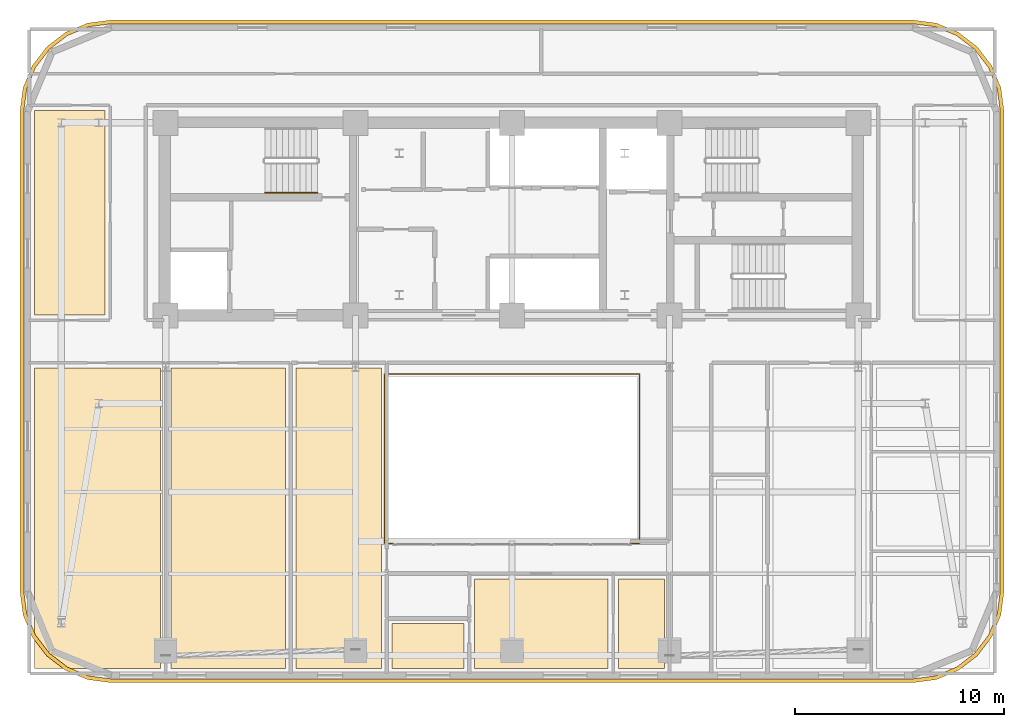
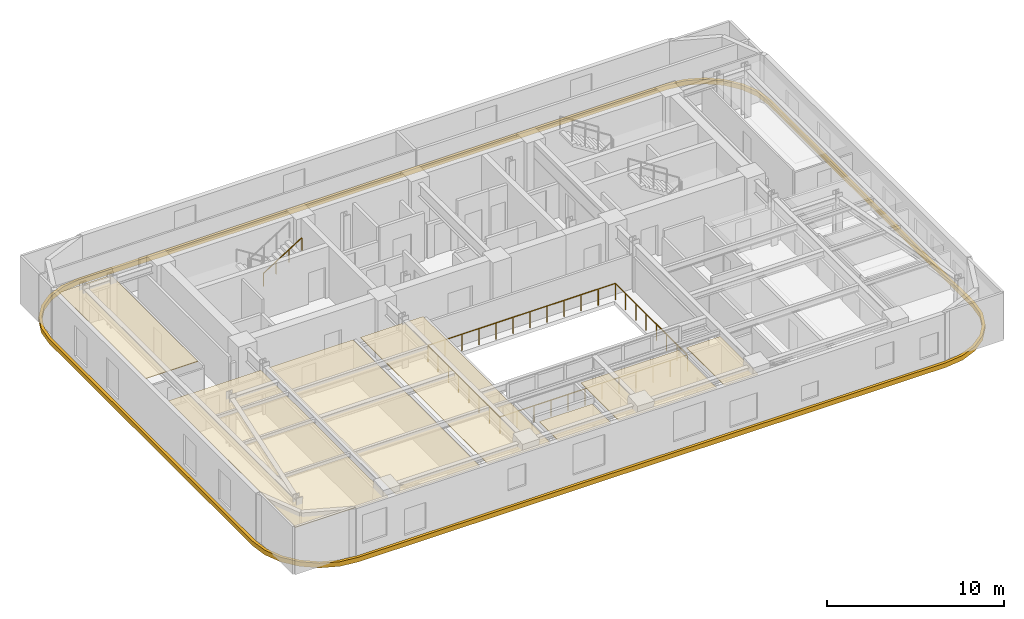
# One storey, part 10 of 12: 8 coverings, 2 railings.
"""IFC4 building model written with IfcOpenShell, lengths in metres."""

from ifc_helpers import new_model, si_unit, direction, frame, origin, origin_2d, place, context, subcontext, project, spatial, polyline, rectangle, outline, extrude, material, layer, layer_set, type_object, element, save


model = new_model("IFC4")

# Units and contexts
model_context = context("Model", 3, precision=1e-05, world=origin(), true_north=direction((0.0, 1.0)))
body_context = subcontext(model_context, "Body", "Model", "MODEL_VIEW")
ifc_project = project(units=[si_unit("LENGTHUNIT", "METRE"), si_unit("AREAUNIT", "SQUARE_METRE"), si_unit("VOLUMEUNIT", "CUBIC_METRE"), si_unit("PLANEANGLEUNIT", "RADIAN"), si_unit("MASSUNIT", "GRAM", prefix="KILO")], contexts=[model_context])

# Site, building, storey
site_placement = place(None, origin())
site = spatial("IfcSite", under=ifc_project, at=site_placement, CompositionType="ELEMENT")
building_placement = place(site_placement, origin())
building = spatial("IfcBuilding", under=site, at=building_placement, Name="Zarnavel Station Tower", CompositionType="ELEMENT")
storey_placement = place(building_placement, frame((0.0, 0.0, 159.0)))
storey = spatial("IfcBuildingStorey", under=building, at=storey_placement, Name="L43", CompositionType="ELEMENT", Elevation=159.0)

# Coverings
ifc_material_1 = material(Name="Perforated Gypsum and Mineral-Wool Acoustic Ceiling", Category="concrete")
ifc_layer = layer(ifc_material_1, 0.0400390625)
ifc_layer_set = layer_set([ifc_layer], Name="COV_CEIL_ACOUSTIC")
covering_type_1 = type_object("IfcCoveringType", Name="COV_CEIL_ACOUSTIC", PredefinedType="CEILING", material=ifc_layer_set)
covering_1_placement = place(storey_placement, frame((0.0, 0.0, 2.969970703125)))
element("IfcCovering", 1, at=covering_1_placement, inside=storey, type_object=covering_type_1, Name="L43 FNW Acoustic Ceiling", PredefinedType="CEILING", context=body_context, shape_type="SweptSolid", body=[
    extrude(outline(polyline([(5.909912109375, 27.85009765625), (9.300048828125, 27.85009765625), (9.300048828125, 37.64990234375), (5.909912109375, 37.64990234375), (5.909912109375, 27.85009765625)])), origin(), (0.0, 0.0, 1.0), 0.0400390625),
])
covering_2_placement = place(storey_placement, frame((0.0, 0.0, 2.969970703125)))
element("IfcCovering", 2, at=covering_2_placement, inside=storey, type_object=covering_type_1, Name="L43 L43GAL Acoustic Ceiling", PredefinedType="CEILING", context=body_context, shape_type="SweptSolid", body=[
    extrude(outline(polyline([(5.909912109375, 10.909912109375), (11.949951171875, 10.909912109375), (11.949951171875, 25.300048828125), (5.909912109375, 25.300048828125), (5.909912109375, 10.909912109375)])), origin(), (0.0, 0.0, 1.0), 0.0400390625),
])
covering_3_placement = place(storey_placement, frame((0.0, 0.0, 2.969970703125)))
element("IfcCovering", 3, at=covering_3_placement, inside=storey, type_object=covering_type_1, Name="L43 L43FOY Acoustic Ceiling", PredefinedType="CEILING", context=body_context, shape_type="SweptSolid", body=[
    extrude(outline(polyline([(12.449951171875, 10.909912109375), (17.949951171875, 10.909912109375), (17.949951171875, 25.300048828125), (12.449951171875, 25.300048828125), (12.449951171875, 10.909912109375)])), origin(), (0.0, 0.0, 1.0), 0.0400390625),
])
covering_4_placement = place(storey_placement, frame((0.0, 0.0, 2.969970703125)))
element("IfcCovering", 4, at=covering_4_placement, inside=storey, type_object=covering_type_1, Name="L43 L43KIT Acoustic Ceiling", PredefinedType="CEILING", context=body_context, shape_type="SweptSolid", body=[
    extrude(outline(polyline([(18.449951171875, 10.909912109375), (22.550048828125, 10.909912109375), (22.550048828125, 25.300048828125), (18.449951171875, 25.300048828125), (18.449951171875, 10.909912109375)])), origin(), (0.0, 0.0, 1.0), 0.0400390625),
])
covering_5_placement = place(storey_placement, frame((0.0, 0.0, 2.969970703125)))
element("IfcCovering", 5, at=covering_5_placement, inside=storey, type_object=covering_type_1, Name="L43 US1LV Acoustic Ceiling", PredefinedType="CEILING", context=body_context, shape_type="SweptSolid", body=[
    extrude(outline(polyline([(27.0, 10.909912109375), (33.39990234375, 10.909912109375), (33.39990234375, 15.199951171875), (27.0, 15.199951171875), (27.0, 10.909912109375)])), origin(), (0.0, 0.0, 1.0), 0.0400390625),
])
covering_6_placement = place(storey_placement, frame((0.0, 0.0, 2.969970703125)))
element("IfcCovering", 6, at=covering_6_placement, inside=storey, type_object=covering_type_1, Name="L43 US1KT Acoustic Ceiling", PredefinedType="CEILING", context=body_context, shape_type="SweptSolid", body=[
    extrude(outline(polyline([(23.050048828125, 10.909912109375), (26.5, 10.909912109375), (26.5, 13.050048828125), (23.050048828125, 13.050048828125), (23.050048828125, 10.909912109375)])), origin(), (0.0, 0.0, 1.0), 0.0400390625),
])
covering_7_placement = place(storey_placement, frame((0.0, 0.0, 2.969970703125)))
element("IfcCovering", 7, at=covering_7_placement, inside=storey, type_object=covering_type_1, Name="L43 US1B1 Acoustic Ceiling", PredefinedType="CEILING", context=body_context, shape_type="SweptSolid", body=[
    extrude(outline(polyline([(33.89990234375, 10.909912109375), (36.10009765625, 10.909912109375), (36.10009765625, 15.199951171875), (33.89990234375, 15.199951171875), (33.89990234375, 10.909912109375)])), origin(), (0.0, 0.0, 1.0), 0.0400390625),
])
ifc_material_2 = material(Name="Precast concrete C45/55 (Pale Travertine Slab Band)", Category="masonry")
covering_type_2 = type_object("IfcCoveringType", Name="COV_TRAVERTINE_BAND", PredefinedType="CLADDING", material=ifc_material_2)
covering_8_placement = place(storey_placement, frame((0.0, 0.0, -0.260009765625)))
element("IfcCovering", 8, at=covering_8_placement, inside=storey, type_object=covering_type_2, Name="L43 Pale Travertine Slab-Edge Band", PredefinedType="CLADDING", context=body_context, shape_type="SweptSolid", body=[
    extrude(outline(polyline([(48.0, 10.219970703125), (49.133544921875, 10.369140625), (50.18994140625, 10.806884765625), (51.09716796875, 11.5029296875), (51.793212890625, 12.409912109375), (52.230712890625, 13.46630859375), (52.3798828125, 14.60009765625), (52.3798828125, 37.60009765625), (52.230712890625, 38.733642578125), (51.793212890625, 39.7900390625), (51.09716796875, 40.697021484375), (50.18994140625, 41.393310546875), (49.133544921875, 41.830810546875), (48.0, 41.97998046875), (9.60009765625, 41.97998046875), (8.46630859375, 41.830810546875), (7.409912109375, 41.393310546875), (6.5029296875, 40.697021484375), (5.806884765625, 39.7900390625), (5.369140625, 38.733642578125), (5.219970703125, 37.60009765625), (5.219970703125, 14.60009765625), (5.369140625, 13.46630859375), (5.806884765625, 12.409912109375), (6.5029296875, 11.5029296875), (7.409912109375, 10.806884765625), (8.46630859375, 10.369140625), (9.60009765625, 10.219970703125), (48.0, 10.219970703125)]), holes=[polyline([(48.0, 10.39990234375), (49.0869140625, 10.543212890625), (50.10009765625, 10.962646484375), (50.9697265625, 11.630126953125), (51.63720703125, 12.5), (52.056884765625, 13.512939453125), (52.199951171875, 14.60009765625), (52.199951171875, 37.60009765625), (52.056884765625, 38.68701171875), (51.63720703125, 39.699951171875), (50.9697265625, 40.56982421875), (50.10009765625, 41.2373046875), (49.0869140625, 41.656982421875), (48.0, 41.800048828125), (9.60009765625, 41.800048828125), (8.512939453125, 41.656982421875), (7.5, 41.2373046875), (6.630126953125, 40.56982421875), (5.962646484375, 39.699951171875), (5.543212890625, 38.68701171875), (5.39990234375, 37.60009765625), (5.39990234375, 14.60009765625), (5.543212890625, 13.512939453125), (5.962646484375, 12.5), (6.630126953125, 11.630126953125), (7.5, 10.962646484375), (8.512939453125, 10.543212890625), (9.60009765625, 10.39990234375), (48.0, 10.39990234375)])]), origin(), (0.0, 0.0, 1.0), 0.320068359375),
])

# Railings
ifc_material_3 = material(Name="Painted Steel S355J2 Balustrade", Category="steel")
railing_type_1 = type_object("IfcRailingType", Name="GR_INT_1150", PredefinedType="GUARDRAIL", material=ifc_material_3)
railing_1_placement = place(storey_placement, frame((22.679931640625, 16.8798828125, 0.0)))
element("IfcRailing", 9, at=railing_1_placement, inside=storey, type_object=railing_type_1, Name="L43 Atrium Void Guardrail", PredefinedType="GUARDRAIL", context=body_context, shape_type="SweptSolid", body=[
    extrude(rectangle(XDim=0.048095703125, YDim=0.048095703125, at=origin_2d()), frame((0.001953125, 0.0, 1.1259765625), z_axis=(1.0, 0.0, 0.0), x_axis=(0.0, 1.0, 0.0)), (0.0, 0.0, 1.0), 12.236083984375),
    extrude(rectangle(XDim=0.048095703125, YDim=0.048095703125, at=origin_2d()), frame((12.239990234375, 0.001953125, 1.1259765625), z_axis=(0.0, 1.0, 0.0), x_axis=(-1.0, 0.0, 0.0)), (0.0, 0.0, 1.0), 8.13623046875),
    extrude(rectangle(XDim=0.048095703125, YDim=0.048095703125, at=origin_2d()), frame((12.238037109375, 8.14013671875, 1.1259765625), z_axis=(-1.0, 0.0, 0.0), x_axis=(0.0, -1.0, 0.0)), (0.0, 0.0, 1.0), 12.236083984375),
    extrude(rectangle(XDim=0.048095703125, YDim=0.048095703125, at=origin_2d()), frame((0.0, 8.13818359375, 1.1259765625), z_axis=(0.0, -1.0, 0.0), x_axis=(1.0, 0.0, 0.0)), (0.0, 0.0, 1.0), 8.13623046875),
    extrude(rectangle(XDim=0.0419921875, YDim=0.0419921875, at=origin_2d()), origin(), (0.0, 0.0, 1.0), 1.101806640625),
    extrude(rectangle(XDim=0.0419921875, YDim=0.0419921875, at=origin_2d()), frame((1.11279296875, 0.0, 0.0)), (0.0, 0.0, 1.0), 1.101806640625),
    extrude(rectangle(XDim=0.0419921875, YDim=0.0419921875, at=origin_2d()), frame((2.225341796875, 0.0, 0.0)), (0.0, 0.0, 1.0), 1.101806640625),
    extrude(rectangle(XDim=0.0419921875, YDim=0.0419921875, at=origin_2d()), frame((3.338134765625, 0.0, 0.0)), (0.0, 0.0, 1.0), 1.101806640625),
    extrude(rectangle(XDim=0.0419921875, YDim=0.0419921875, at=origin_2d()), frame((4.450927734375, 0.0, 0.0)), (0.0, 0.0, 1.0), 1.101806640625),
    extrude(rectangle(XDim=0.0419921875, YDim=0.0419921875, at=origin_2d()), frame((5.563720703125, 0.0, 0.0)), (0.0, 0.0, 1.0), 1.101806640625),
    extrude(rectangle(XDim=0.0419921875, YDim=0.0419921875, at=origin_2d()), frame((6.67626953125, 0.0, 0.0)), (0.0, 0.0, 1.0), 1.101806640625),
    extrude(rectangle(XDim=0.0419921875, YDim=0.0419921875, at=origin_2d()), frame((7.7890625, 0.0, 0.0)), (0.0, 0.0, 1.0), 1.101806640625),
    extrude(rectangle(XDim=0.0419921875, YDim=0.0419921875, at=origin_2d()), frame((8.90185546875, 0.0, 0.0)), (0.0, 0.0, 1.0), 1.101806640625),
    extrude(rectangle(XDim=0.0419921875, YDim=0.0419921875, at=origin_2d()), frame((10.0146484375, 0.0, 0.0)), (0.0, 0.0, 1.0), 1.101806640625),
    extrude(rectangle(XDim=0.0419921875, YDim=0.0419921875, at=origin_2d()), frame((11.127197265625, 0.0, 0.0)), (0.0, 0.0, 1.0), 1.101806640625),
    extrude(rectangle(XDim=0.0419921875, YDim=0.0419921875, at=origin_2d()), frame((12.239990234375, 0.0, 0.0)), (0.0, 0.0, 1.0), 1.101806640625),
    extrude(rectangle(XDim=0.0419921875, YDim=0.0419921875, at=origin_2d()), frame((12.239990234375, 1.162841796875, 0.0)), (0.0, 0.0, 1.0), 1.101806640625),
    extrude(rectangle(XDim=0.0419921875, YDim=0.0419921875, at=origin_2d()), frame((12.239990234375, 2.32568359375, 0.0)), (0.0, 0.0, 1.0), 1.101806640625),
    extrude(rectangle(XDim=0.0419921875, YDim=0.0419921875, at=origin_2d()), frame((12.239990234375, 3.488525390625, 0.0)), (0.0, 0.0, 1.0), 1.101806640625),
    extrude(rectangle(XDim=0.0419921875, YDim=0.0419921875, at=origin_2d()), frame((12.239990234375, 4.651611328125, 0.0)), (0.0, 0.0, 1.0), 1.101806640625),
    extrude(rectangle(XDim=0.0419921875, YDim=0.0419921875, at=origin_2d()), frame((12.239990234375, 5.814453125, 0.0)), (0.0, 0.0, 1.0), 1.101806640625),
    extrude(rectangle(XDim=0.0419921875, YDim=0.0419921875, at=origin_2d()), frame((12.239990234375, 6.977294921875, 0.0)), (0.0, 0.0, 1.0), 1.101806640625),
    extrude(rectangle(XDim=0.0419921875, YDim=0.0419921875, at=origin_2d()), frame((12.239990234375, 8.14013671875, 0.0)), (0.0, 0.0, 1.0), 1.101806640625),
    extrude(rectangle(XDim=0.0419921875, YDim=0.0419921875, at=origin_2d()), frame((11.127197265625, 8.14013671875, 0.0)), (0.0, 0.0, 1.0), 1.101806640625),
    extrude(rectangle(XDim=0.0419921875, YDim=0.0419921875, at=origin_2d()), frame((10.0146484375, 8.14013671875, 0.0)), (0.0, 0.0, 1.0), 1.101806640625),
    extrude(rectangle(XDim=0.0419921875, YDim=0.0419921875, at=origin_2d()), frame((8.90185546875, 8.14013671875, 0.0)), (0.0, 0.0, 1.0), 1.101806640625),
    extrude(rectangle(XDim=0.0419921875, YDim=0.0419921875, at=origin_2d()), frame((7.7890625, 8.14013671875, 0.0)), (0.0, 0.0, 1.0), 1.101806640625),
    extrude(rectangle(XDim=0.0419921875, YDim=0.0419921875, at=origin_2d()), frame((6.67626953125, 8.14013671875, 0.0)), (0.0, 0.0, 1.0), 1.101806640625),
    extrude(rectangle(XDim=0.0419921875, YDim=0.0419921875, at=origin_2d()), frame((5.563720703125, 8.14013671875, 0.0)), (0.0, 0.0, 1.0), 1.101806640625),
    extrude(rectangle(XDim=0.0419921875, YDim=0.0419921875, at=origin_2d()), frame((4.450927734375, 8.14013671875, 0.0)), (0.0, 0.0, 1.0), 1.101806640625),
    extrude(rectangle(XDim=0.0419921875, YDim=0.0419921875, at=origin_2d()), frame((3.338134765625, 8.14013671875, 0.0)), (0.0, 0.0, 1.0), 1.101806640625),
    extrude(rectangle(XDim=0.0419921875, YDim=0.0419921875, at=origin_2d()), frame((2.225341796875, 8.14013671875, 0.0)), (0.0, 0.0, 1.0), 1.101806640625),
    extrude(rectangle(XDim=0.0419921875, YDim=0.0419921875, at=origin_2d()), frame((1.11279296875, 8.14013671875, 0.0)), (0.0, 0.0, 1.0), 1.101806640625),
    extrude(rectangle(XDim=0.0419921875, YDim=0.0419921875, at=origin_2d()), frame((0.0, 8.14013671875, 0.0)), (0.0, 0.0, 1.0), 1.101806640625),
    extrude(rectangle(XDim=0.0419921875, YDim=0.0419921875, at=origin_2d()), frame((0.0, 6.977294921875, 0.0)), (0.0, 0.0, 1.0), 1.101806640625),
    extrude(rectangle(XDim=0.0419921875, YDim=0.0419921875, at=origin_2d()), frame((0.0, 5.814453125, 0.0)), (0.0, 0.0, 1.0), 1.101806640625),
    extrude(rectangle(XDim=0.0419921875, YDim=0.0419921875, at=origin_2d()), frame((0.0, 4.651611328125, 0.0)), (0.0, 0.0, 1.0), 1.101806640625),
    extrude(rectangle(XDim=0.0419921875, YDim=0.0419921875, at=origin_2d()), frame((0.0, 3.488525390625, 0.0)), (0.0, 0.0, 1.0), 1.101806640625),
    extrude(rectangle(XDim=0.0419921875, YDim=0.0419921875, at=origin_2d()), frame((0.0, 2.32568359375, 0.0)), (0.0, 0.0, 1.0), 1.101806640625),
    extrude(rectangle(XDim=0.0419921875, YDim=0.0419921875, at=origin_2d()), frame((0.0, 1.162841796875, 0.0)), (0.0, 0.0, 1.0), 1.101806640625),
])
ifc_material_4 = material(Name="Brushed Stainless Steel S355J2 Handrail", Category="steel")
railing_type_2 = type_object("IfcRailingType", Name="HR_STAIR_900", PredefinedType="HANDRAIL", material=ifc_material_4)
railing_2_placement = place(storey_placement, frame((16.9599609375, 33.7099609375, 1.952392578125)))
element("IfcRailing", 10, at=railing_2_placement, inside=storey, type_object=railing_type_2, Name="L43 ST1 stair handrail 2", PredefinedType="HANDRAIL", context=body_context, shape_type="SweptSolid", body=[
    extrude(rectangle(XDim=0.048095703125, YDim=0.048095703125, at=origin_2d()), frame((0.001708984375, 0.0, 0.876953125), z_axis=(0.84456994832, 0.0, 0.535445237532), x_axis=(0.0, 1.0, 0.0)), (0.0, 0.0, 1.0), 2.979736328125),
    extrude(rectangle(XDim=0.0419921875, YDim=0.0419921875, at=origin_2d()), origin(), (0.0, 0.0, 1.0), 0.851806640625),
    extrude(rectangle(XDim=0.0419921875, YDim=0.0419921875, at=origin_2d()), frame((0.840087890625, 0.0, 0.532470703125)), (0.0, 0.0, 1.0), 0.851806640625),
    extrude(rectangle(XDim=0.0419921875, YDim=0.0419921875, at=origin_2d()), frame((1.679931640625, 0.0, 1.065185546875)), (0.0, 0.0, 1.0), 0.851806640625),
    extrude(rectangle(XDim=0.0419921875, YDim=0.0419921875, at=origin_2d()), frame((2.52001953125, 0.0, 1.59765625)), (0.0, 0.0, 1.0), 0.851806640625),
])

save(model, "model.ifc")
